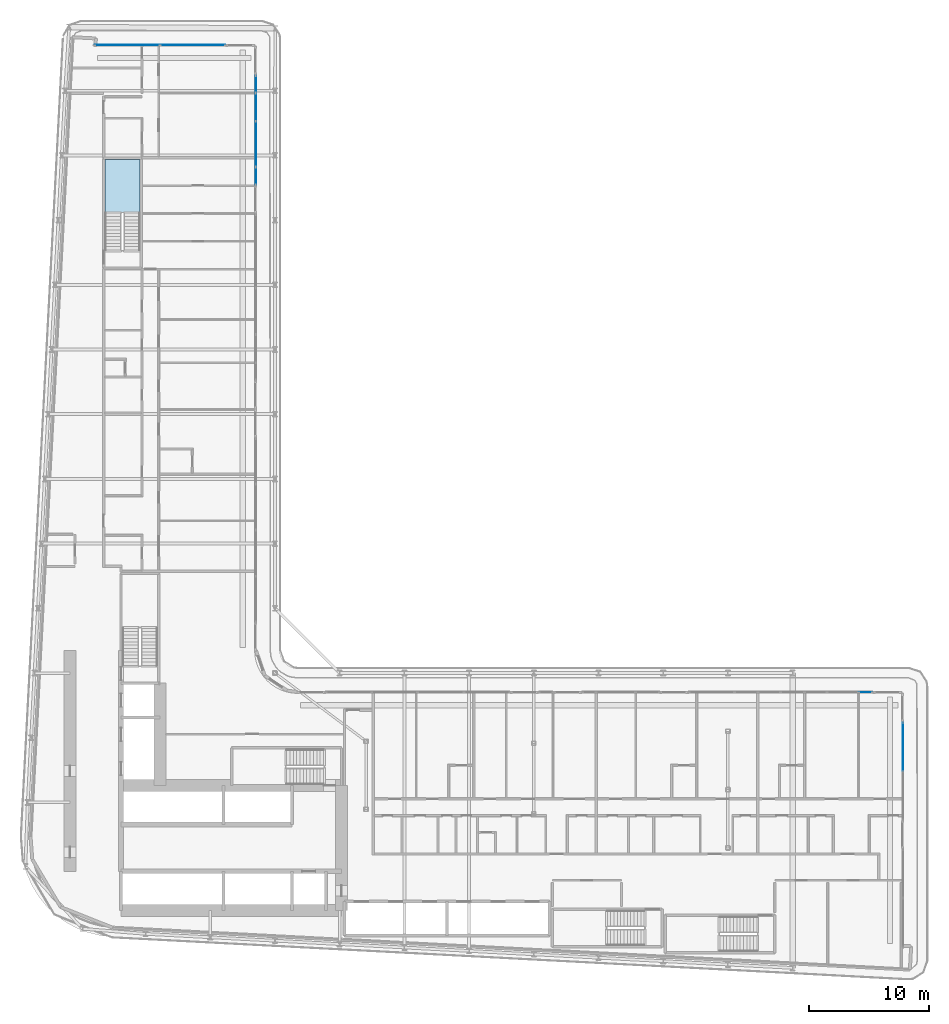
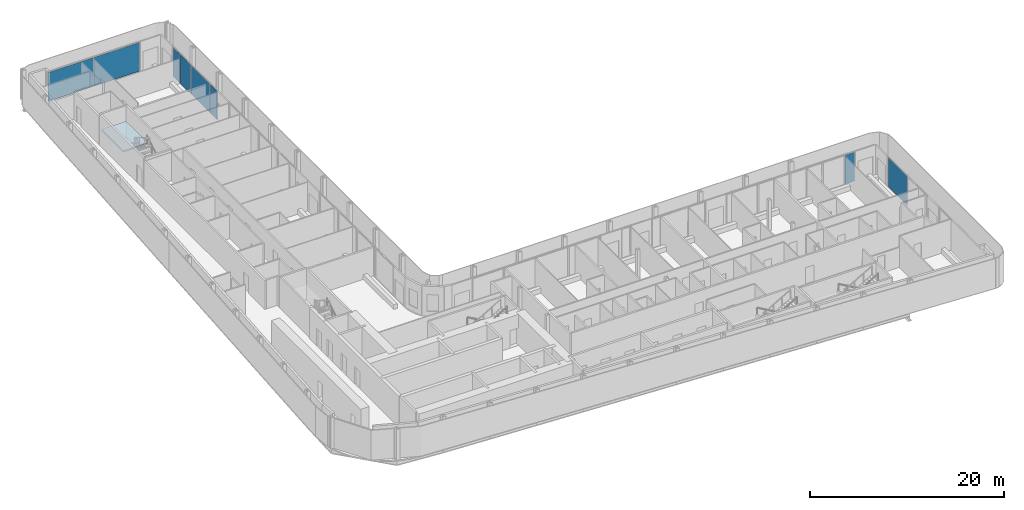
# One storey, part 13 of 29: 8 plates, 1 slab, 6 elements without a shape of their own.
"""IFC4 building model written with IfcOpenShell, lengths in metres."""

from ifc_helpers import new_model, si_unit, direction, frame, origin, origin_2d, place, context, subcontext, project, spatial, polyline, rectangle, outline, extrude, material, layer, layer_set, type_object, element, aggregate, save


model = new_model("IFC4")

# Units and contexts
model_context = context("Model", 3, precision=1e-05, world=origin(), true_north=direction((0.0, 1.0)))
body_context = subcontext(model_context, "Body", "Model", "MODEL_VIEW")
ifc_project = project(units=[si_unit("LENGTHUNIT", "METRE"), si_unit("AREAUNIT", "SQUARE_METRE"), si_unit("VOLUMEUNIT", "CUBIC_METRE"), si_unit("PLANEANGLEUNIT", "RADIAN"), si_unit("MASSUNIT", "GRAM", prefix="KILO")], contexts=[model_context])

# Site, building, storey
site_placement = place(None, origin())
site = spatial("IfcSite", under=ifc_project, at=site_placement, CompositionType="ELEMENT")
building_placement = place(site_placement, origin())
building = spatial("IfcBuilding", under=site, at=building_placement, Name="Kheshtan School and Residences Tower", CompositionType="ELEMENT")
storey_placement = place(building_placement, frame((0.0, 0.0, 69.5)))
storey = spatial("IfcBuildingStorey", under=building, at=storey_placement, Name="L16", CompositionType="ELEMENT", Elevation=69.5)

# Curtain wall, plates
ifc_material_1 = material(Name="Clear low-e glass in thermally broken aluminium frame", Category="aluminium")
ifc_layer_1 = layer(ifc_material_1, 0.199951171875)
ifc_layer_set_1 = layer_set([ifc_layer_1], Name="Curtain wall CW-L")
curtain_wall_type = type_object("IfcCurtainWallType", Name="Curtain wall CW-L", PredefinedType="NOTDEFINED", material=ifc_layer_set_1)
curtain_wall_1_placement = place(storey_placement, origin())
curtain_wall_1 = element("IfcCurtainWall", 1, at=curtain_wall_1_placement, inside=storey, type_object=curtain_wall_type, Name="Curtain wall CWL7", PredefinedType="NOTDEFINED")
ifc_layer_2 = layer(ifc_material_1, 0.031982421875)
ifc_layer_set_2 = layer_set([ifc_layer_2], Name="CW-L glass panel")
plate_type = type_object("IfcPlateType", Name="CW-L glass panel", PredefinedType="CURTAIN_PANEL", material=ifc_layer_set_2)
plate_1_placement = place(storey_placement, frame((35.259033203125, 98.0, 0.0), z_axis=(0.0, 0.0, 1.0), x_axis=(1.0, 0.0, 0.0)))
plate_1 = element("IfcPlate", 2, at=plate_1_placement, type_object=plate_type, Name="CWL7 panel 1.1", PredefinedType="CURTAIN_PANEL", context=body_context, shape_type="SweptSolid", body=[
    extrude(rectangle(XDim=5.4140625, YDim=0.031982421875, at=origin_2d()), origin(), (0.0, 0.0, 1.0), 3.6298828125),
])
plate_2_placement = place(storey_placement, frame((40.73291015625, 98.0, 0.0), z_axis=(0.0, 0.0, 1.0), x_axis=(1.0, 0.0, 0.0)))
plate_2 = element("IfcPlate", 3, at=plate_2_placement, type_object=plate_type, Name="CWL7 panel 2.1", PredefinedType="CURTAIN_PANEL", context=body_context, shape_type="SweptSolid", body=[
    extrude(rectangle(XDim=5.4140625, YDim=0.031982421875, at=origin_2d()), origin(), (0.0, 0.0, 1.0), 3.6298828125),
])
aggregate(curtain_wall_1, [plate_1, plate_2])

curtain_wall_2_placement = place(storey_placement, origin())
curtain_wall_2 = element("IfcCurtainWall", 4, at=curtain_wall_2_placement, inside=storey, type_object=curtain_wall_type, Name="Curtain wall CWL8c", PredefinedType="NOTDEFINED")
plate_3_placement = place(storey_placement, frame((46.0, 94.735107421875, 0.0), z_axis=(0.0, 0.0, 1.0), x_axis=(0.0, -1.0, 0.0)))
plate_3 = element("IfcPlate", 5, at=plate_3_placement, type_object=plate_type, Name="CWL8c panel 1.1", PredefinedType="CURTAIN_PANEL", context=body_context, shape_type="SweptSolid", body=[
    extrude(rectangle(XDim=1.409912109375, YDim=0.031982421875, at=origin_2d()), origin(), (0.0, 0.0, 1.0), 3.6298828125),
])
plate_4_placement = place(storey_placement, frame((46.0, 92.826416015625, 0.0), z_axis=(0.0, 0.0, 1.0), x_axis=(0.0, -1.0, 0.0)))
plate_4 = element("IfcPlate", 6, at=plate_4_placement, type_object=plate_type, Name="CWL8c panel 2.1", PredefinedType="CURTAIN_PANEL", context=body_context, shape_type="SweptSolid", body=[
    extrude(rectangle(XDim=2.287109375, YDim=0.031982421875, at=origin_2d()), origin(), (0.0, 0.0, 1.0), 3.6298828125),
])
plate_5_placement = place(storey_placement, frame((46.0, 89.744384765625, 0.0), z_axis=(0.0, 0.0, 1.0), x_axis=(0.0, -1.0, 0.0)))
plate_5 = element("IfcPlate", 7, at=plate_5_placement, type_object=plate_type, Name="CWL8c panel 3.1", PredefinedType="CURTAIN_PANEL", context=body_context, shape_type="SweptSolid", body=[
    extrude(rectangle(XDim=3.757080078125, YDim=0.031982421875, at=origin_2d()), origin(), (0.0, 0.0, 1.0), 3.6298828125),
])
aggregate(curtain_wall_2, [plate_3, plate_4, plate_5])

# Curtain wall, plate
curtain_wall_3_placement = place(storey_placement, origin())
curtain_wall_3 = element("IfcCurtainWall", 8, at=curtain_wall_3_placement, inside=storey, type_object=curtain_wall_type, Name="Curtain wall CWL8a", PredefinedType="NOTDEFINED")
plate_6_placement = place(storey_placement, frame((46.0, 87.0859375, 0.0), z_axis=(0.0, 0.0, 1.0), x_axis=(0.0, -1.0, 0.0)))
plate_6 = element("IfcPlate", 9, at=plate_6_placement, type_object=plate_type, Name="CWL8a panel 1.1", PredefinedType="CURTAIN_PANEL", context=body_context, shape_type="SweptSolid", body=[
    extrude(rectangle(XDim=1.43994140625, YDim=0.031982421875, at=origin_2d()), origin(), (0.0, 0.0, 1.0), 3.6298828125),
])
aggregate(curtain_wall_3, [plate_6])

curtain_wall_4_placement = place(storey_placement, origin())
curtain_wall_4 = element("IfcCurtainWall", 10, at=curtain_wall_4_placement, inside=storey, type_object=curtain_wall_type, Name="Curtain wall CWL12m", PredefinedType="NOTDEFINED")
plate_7_placement = place(storey_placement, frame((96.885009765625, 44.0, 0.0), z_axis=(0.0, 0.0, 1.0), x_axis=(1.0, 0.0, 0.0)))
plate_7 = element("IfcPlate", 11, at=plate_7_placement, type_object=plate_type, Name="CWL12m panel 4.1", PredefinedType="CURTAIN_PANEL", context=body_context, shape_type="SweptSolid", body=[
    extrude(rectangle(XDim=1.110107421875, YDim=0.031982421875, at=origin_2d()), origin(), (0.0, 0.0, 1.0), 3.6298828125),
])
aggregate(curtain_wall_4, [plate_7])

curtain_wall_5_placement = place(storey_placement, origin())
curtain_wall_5 = element("IfcCurtainWall", 12, at=curtain_wall_5_placement, inside=storey, type_object=curtain_wall_type, Name="Curtain wall CWL13b", PredefinedType="NOTDEFINED")
plate_8_placement = place(storey_placement, frame((100.0, 39.436767578125, 0.0), z_axis=(0.0, 0.0, 1.0), x_axis=(0.0, -1.0, 0.0)))
plate_8 = element("IfcPlate", 13, at=plate_8_placement, type_object=plate_type, Name="CWL13b panel 1.1", PredefinedType="CURTAIN_PANEL", context=body_context, shape_type="SweptSolid", body=[
    extrude(rectangle(XDim=4.006591796875, YDim=0.031982421875, at=origin_2d()), origin(), (0.0, 0.0, 1.0), 3.6298828125),
])
aggregate(curtain_wall_5, [plate_8])

# Stair, slab
ifc_material_2 = material(Name="Concrete C40/50", Category="concrete")
stair_type = type_object("IfcStairType", Name="Exit stair, half-turn", PredefinedType="HALF_TURN_STAIR", material=ifc_material_2)
stair_placement = place(storey_placement, origin())
stair = element("IfcStair", 14, at=stair_placement, inside=storey, type_object=stair_type, Name="L16 Protected Exit Stair ST3", PredefinedType="HALF_TURN_STAIR")
ifc_layer_3 = layer(ifc_material_2, 0.199951171875)
ifc_layer_set_3 = layer_set([ifc_layer_3], Name="Stair landing 200 Concrete C40/50")
slab_type = type_object("IfcSlabType", Name="Stair landing 200 Concrete C40/50", PredefinedType="LANDING", material=ifc_layer_set_3)
slab_placement = place(storey_placement, frame((0.0, 0.0, 1.75)))
slab = element("IfcSlab", 15, at=slab_placement, type_object=slab_type, Name="ST3 landing 1", PredefinedType="LANDING", context=body_context, shape_type="SweptSolid", body=[
    extrude(outline(polyline([(36.35009765625, 83.97998046875), (36.35009765625, 88.4599609375), (33.39990234375, 88.4599609375), (33.39990234375, 83.97998046875), (36.35009765625, 83.97998046875)])), origin(), (0.0, 0.0, 1.0), 0.199951171875),
])
aggregate(stair, [slab])

save(model, "model.ifc")
